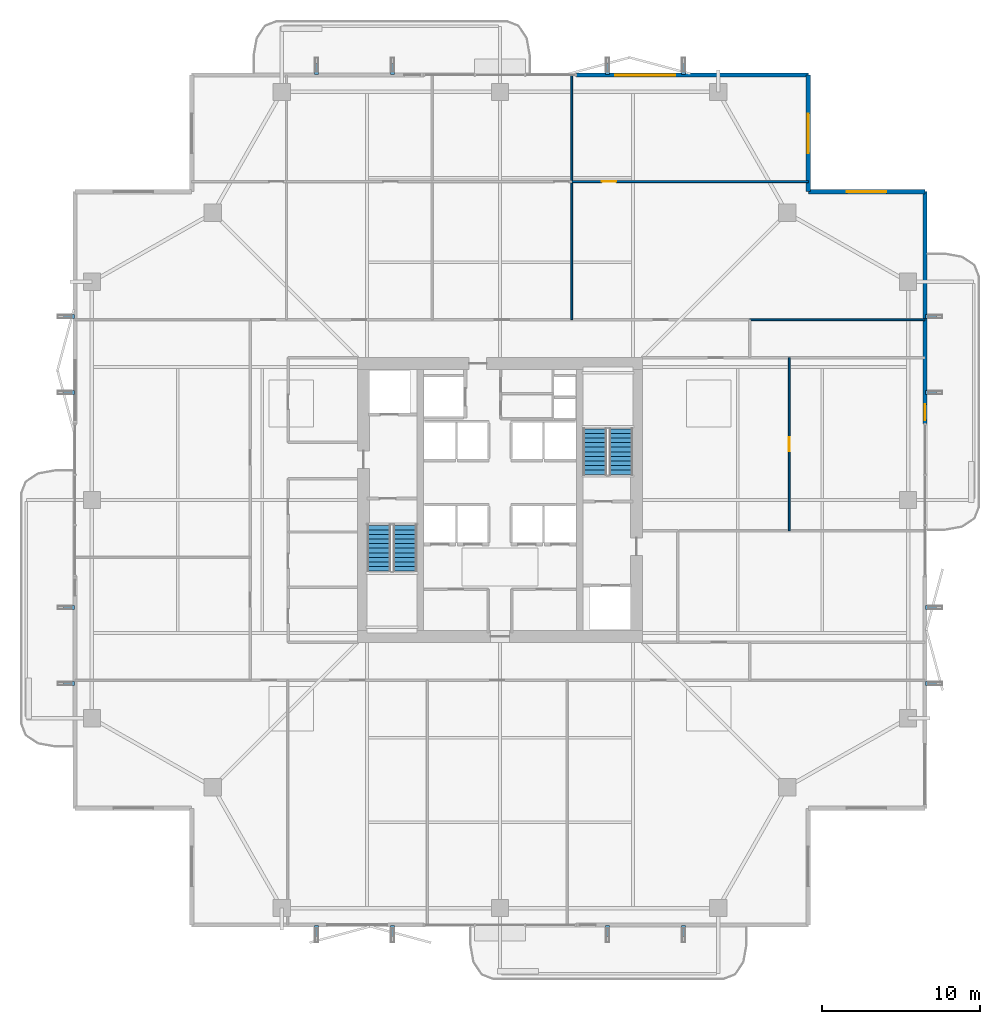
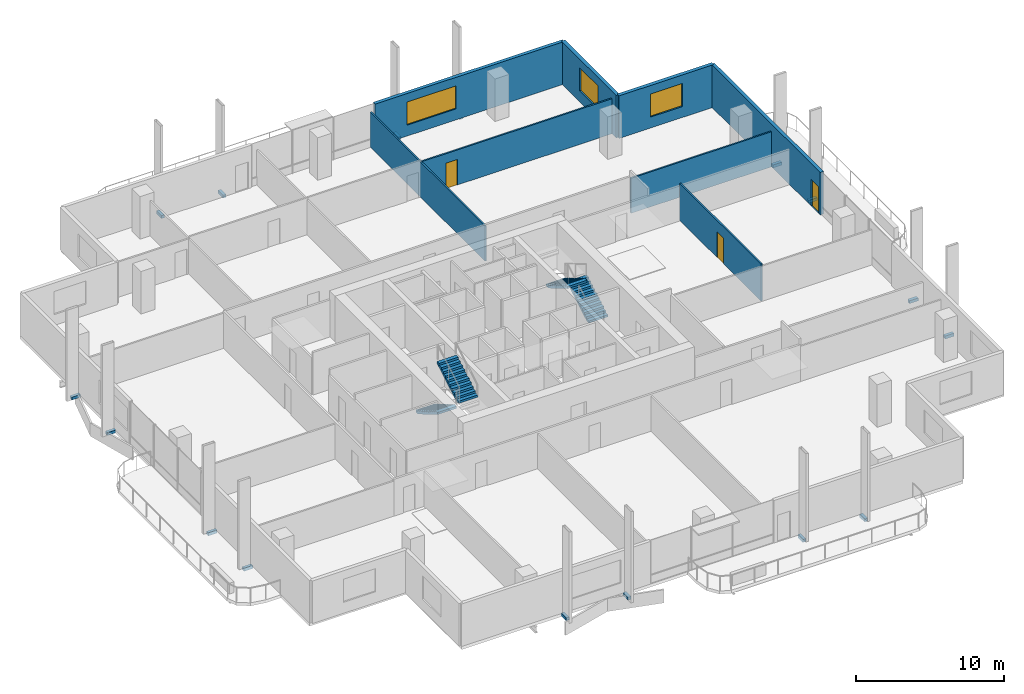
# One storey, part 20 of 24: 16 discrete accessories, 8 walls, 4 stair flights, 3 doors, 3 windows, 6 openings, 2 elements without a shape of their own.
"""IFC4 building model written with IfcOpenShell, lengths in metres."""

from ifc_helpers import new_model, si_unit, direction, frame, frame_2d, origin, origin_2d, place, context, subcontext, project, spatial, polyline, rectangle, outline, extrude, material, layer, layer_set, type_object, element, fill, aggregate, save


model = new_model("IFC4")

# Units and contexts
model_context = context("Model", 3, precision=1e-05, world=origin(), true_north=direction((0.0, 1.0)))
body_context = subcontext(model_context, "Body", "Model", "MODEL_VIEW")
ifc_project = project(units=[si_unit("LENGTHUNIT", "METRE"), si_unit("AREAUNIT", "SQUARE_METRE"), si_unit("VOLUMEUNIT", "CUBIC_METRE"), si_unit("PLANEANGLEUNIT", "RADIAN"), si_unit("MASSUNIT", "GRAM", prefix="KILO")], contexts=[model_context])

# Site, building, storey
site_placement = place(None, origin())
site = spatial("IfcSite", under=ifc_project, at=site_placement, CompositionType="ELEMENT")
building_placement = place(site_placement, origin())
building = spatial("IfcBuilding", under=site, at=building_placement, Name="Belovzor Exchange Tower", CompositionType="ELEMENT")
storey_placement = place(building_placement, frame((0.0, 0.0, 233.699951171875)))
storey = spatial("IfcBuildingStorey", under=building, at=storey_placement, Name="L58", CompositionType="ELEMENT", Elevation=233.699951171875)

# Wall
ifc_material_1 = material(Name="Acoustic Plasterboard on Galvanised Studs", Category="gypsum")
ifc_layer_1 = layer(ifc_material_1, 0.1201171875)
ifc_layer_set_1 = layer_set([ifc_layer_1], Name="Acoustic Plasterboard on Galvanised Studs")
wall_type_1 = type_object("IfcWallType", Name="Acoustic Double-Stud Partition Wall 120", PredefinedType="PARTITIONING", material=ifc_layer_set_1)
wall_1_placement = place(storey_placement, frame((33.339111328125, 40.199951171875, 0.0), z_axis=(0.0, 0.0, 1.0), x_axis=(0.0, 1.0, 0.0)))
element("IfcWall", 1, at=wall_1_placement, inside=storey, type_object=wall_type_1, Name="W-P120 Partition Wall W-L58-NDIV-3", PredefinedType="PARTITIONING", context=body_context, shape_type="SweptSolid", body=[
    extrude(rectangle(XDim=15.469970703125, YDim=0.1201171875, at=frame_2d((7.73486328125, 0.0))), origin(), (0.0, 0.0, 1.0), 2.885009765625),
])

# Wall, opening, door
wall_2_placement = place(storey_placement, frame((33.339111328125, 48.93505859375, 0.0), z_axis=(0.0, 0.0, 1.0), x_axis=(1.0, 0.0, 0.0)))
wall_2 = element("IfcWall", 2, at=wall_2_placement, inside=storey, type_object=wall_type_1, Name="W-P120 Partition Wall W-L58-NHDIV-3", PredefinedType="PARTITIONING", context=body_context, shape_type="SweptSolid", body=[
    extrude(rectangle(XDim=14.9609375, YDim=0.1201171875, at=frame_2d((7.48046875, 0.0))), origin(), (0.0, 0.0, 1.0), 2.885009765625),
])
opening_1_placement = place(wall_2_placement, frame((1.907958984375, 0.0, 0.0)))
opening_1 = element("IfcOpeningElement", 3, at=opening_1_placement, cuts=wall_2, Name="Opening D-INT-090", PredefinedType="OPENING", context=body_context, shape_type="SweptSolid", body=[
    extrude(rectangle(XDim=0.89990234375, YDim=2.10009765625, at=frame_2d((0.449951171875, 1.050048828125))), frame((0.0, 0.070068359375, 0.0), z_axis=(0.0, -1.0, 0.0), x_axis=(1.0, 0.0, 0.0)), (0.0, 0.0, 1.0), 0.14013671875),
])
ifc_material_2 = material(Name="Veneered Hardwood Acoustic Leaf", Category="wood")
door_type_1 = type_object("IfcDoorType", Name="Trading Suite Acoustic Single Door 900x2100", OperationType="NOTDEFINED", PredefinedType="DOOR", material=ifc_material_2)
door_1_placement = place(opening_1_placement, origin())
door_1 = element("IfcDoor", 4, at=door_1_placement, inside=storey, type_object=door_type_1, Name="D-INT-090 Trading Suite Acoustic Single Door 900x2100", OperationType="SINGLE_SWING_RIGHT", OverallHeight=2.10009765625, OverallWidth=0.89990234375, PredefinedType="DOOR", context=body_context, shape_type="SweptSolid", body=[
    extrude(rectangle(XDim=0.89990234375, YDim=2.10009765625, at=frame_2d((0.449951171875, 1.050048828125))), frame((0.0, 0.02490234375, 0.0), z_axis=(0.0, -1.0, 0.0), x_axis=(1.0, 0.0, 0.0)), (0.0, 0.0, 1.0), 0.050048828125),
])
fill(opening_1, door_1)

wall_3_placement = place(storey_placement, frame((47.092041015625, 26.85009765625, 0.0), z_axis=(0.0, 0.0, 1.0), x_axis=(0.0, 1.0, 0.0)))
wall_3 = element("IfcWall", 5, at=wall_3_placement, inside=storey, type_object=wall_type_1, Name="W-P120 Partition Wall W-L58-EHDIV", PredefinedType="PARTITIONING", context=body_context, shape_type="SweptSolid", body=[
    extrude(rectangle(XDim=10.949951171875, YDim=0.1201171875, at=frame_2d((5.47509765625, 0.0))), origin(), (0.0, 0.0, 1.0), 3.03515625),
])
opening_2_placement = place(wall_3_placement, frame((5.02490234375, 0.0, 0.0)))
opening_2 = element("IfcOpeningElement", 6, at=opening_2_placement, cuts=wall_3, Name="Opening D-INT-090", PredefinedType="OPENING", context=body_context, shape_type="SweptSolid", body=[
    extrude(rectangle(XDim=0.89990234375, YDim=2.10009765625, at=frame_2d((0.449951171875, 1.050048828125))), frame((0.0, 0.070068359375, 0.0), z_axis=(0.0, -1.0, 0.0), x_axis=(1.0, 0.0, 0.0)), (0.0, 0.0, 1.0), 0.14013671875),
])
door_2_placement = place(opening_2_placement, origin())
door_2 = element("IfcDoor", 7, at=door_2_placement, inside=storey, type_object=door_type_1, Name="D-INT-090 Trading Suite Acoustic Single Door 900x2100", OperationType="SINGLE_SWING_RIGHT", OverallHeight=2.10009765625, OverallWidth=0.89990234375, PredefinedType="DOOR", context=body_context, shape_type="SweptSolid", body=[
    extrude(rectangle(XDim=0.89990234375, YDim=2.10009765625, at=frame_2d((0.449951171875, 1.050048828125))), frame((0.0, 0.02490234375, 0.0), z_axis=(0.0, -1.0, 0.0), x_axis=(1.0, 0.0, 0.0)), (0.0, 0.0, 1.0), 0.050048828125),
])
fill(opening_2, door_2)

# Wall
wall_4_placement = place(storey_placement, frame((44.60009765625, 40.199951171875, 0.0), z_axis=(0.0, 0.0, 1.0), x_axis=(1.0, 0.0, 0.0)))
element("IfcWall", 8, at=wall_4_placement, inside=storey, type_object=wall_type_1, Name="W-P120 Partition Wall W-L58-END-NE", PredefinedType="PARTITIONING", context=body_context, shape_type="SweptSolid", body=[
    extrude(rectangle(XDim=11.06982421875, YDim=0.1201171875, at=frame_2d((5.534912109375, 0.0))), origin(), (0.0, 0.0, 1.0), 2.885009765625),
])

# Wall, opening, window
ifc_material_3 = material(Name="Precast concrete C40/50", Category="concrete")
ifc_layer_2 = layer(ifc_material_3, 0.280029296875)
ifc_layer_set_2 = layer_set([ifc_layer_2], Name="Precast concrete C40/50")
wall_type_2 = type_object("IfcWallType", Name="Precast Concrete Notched Corner Frame Wall 280", PredefinedType="SOLIDWALL", material=ifc_layer_set_2)
wall_5_placement = place(storey_placement, frame((48.300048828125, 55.669921875, 0.0), z_axis=(0.0, 0.0, 1.0), x_axis=(0.0, -1.0, 0.0)))
wall_5 = element("IfcWall", 9, at=wall_5_placement, inside=storey, type_object=wall_type_2, Name="W-CRN280 Precast Concrete Notched Corner Frame Wall 280 L58", PredefinedType="SOLIDWALL", context=body_context, shape_type="SweptSolid", body=[
    extrude(rectangle(XDim=7.369873046875, YDim=0.280029296875, at=frame_2d((3.68505859375, 0.0))), origin(), (0.0, 0.0, 1.0), 3.5),
])
opening_3_placement = place(wall_5_placement, frame((2.43505859375, 0.0, 0.89990234375)))
opening_3 = element("IfcOpeningElement", 10, at=opening_3_placement, cuts=wall_5, Name="Opening WN-CRN250", PredefinedType="OPENING", context=body_context, shape_type="SweptSolid", body=[
    extrude(rectangle(XDim=2.5, YDim=1.89990234375, at=frame_2d((1.25, 0.949951171875))), frame((0.0, 0.14990234375, 0.0), z_axis=(0.0, -1.0, 0.0), x_axis=(1.0, 0.0, 0.0)), (0.0, 0.0, 1.0), 0.300048828125),
])
ifc_material_4 = material(Name="Thermally Broken Aluminium and Triple Glazing", Category="aluminium")
window_type_1 = type_object("IfcWindowType", Name="Streamline Moderne Corner Wrap Ribbon Window 2500x1900", PartitioningType="SINGLE_PANEL", PredefinedType="WINDOW", material=ifc_material_4)
window_1_placement = place(opening_3_placement, origin())
window_1 = element("IfcWindow", 11, at=window_1_placement, inside=storey, type_object=window_type_1, Name="WN-CRN250 Streamline Moderne Corner Wrap Ribbon Window 2500x1900", OverallHeight=1.89990234375, OverallWidth=2.5, PartitioningType="SINGLE_PANEL", PredefinedType="WINDOW", context=body_context, shape_type="SweptSolid", body=[
    extrude(rectangle(XDim=2.5, YDim=1.89990234375, at=frame_2d((1.25, 0.949951171875))), frame((0.0, 0.030029296875, 0.0), z_axis=(0.0, -1.0, 0.0), x_axis=(1.0, 0.0, 0.0)), (0.0, 0.0, 1.0), 0.06005859375),
])
fill(opening_3, window_1)

wall_6_placement = place(storey_placement, frame((48.300048828125, 48.300048828125, 0.0), z_axis=(0.0, 0.0, 1.0), x_axis=(1.0, 0.0, 0.0)))
wall_6 = element("IfcWall", 12, at=wall_6_placement, inside=storey, type_object=wall_type_2, Name="W-CRN280 Precast Concrete Notched Corner Frame Wall 280 L58", PredefinedType="SOLIDWALL", context=body_context, shape_type="SweptSolid", body=[
    extrude(rectangle(XDim=7.369873046875, YDim=0.280029296875, at=frame_2d((3.68505859375, 0.0))), origin(), (0.0, 0.0, 1.0), 3.5),
])
opening_4_placement = place(wall_6_placement, frame((2.43505859375, 0.0, 0.89990234375)))
opening_4 = element("IfcOpeningElement", 13, at=opening_4_placement, cuts=wall_6, Name="Opening WN-CRN250", PredefinedType="OPENING", context=body_context, shape_type="SweptSolid", body=[
    extrude(rectangle(XDim=2.5, YDim=1.89990234375, at=frame_2d((1.25, 0.949951171875))), frame((0.0, 0.14990234375, 0.0), z_axis=(0.0, -1.0, 0.0), x_axis=(1.0, 0.0, 0.0)), (0.0, 0.0, 1.0), 0.300048828125),
])
window_2_placement = place(opening_4_placement, origin())
window_2 = element("IfcWindow", 14, at=window_2_placement, inside=storey, type_object=window_type_1, Name="WN-CRN250 Streamline Moderne Corner Wrap Ribbon Window 2500x1900", OverallHeight=1.89990234375, OverallWidth=2.5, PartitioningType="SINGLE_PANEL", PredefinedType="WINDOW", context=body_context, shape_type="SweptSolid", body=[
    extrude(rectangle(XDim=2.5, YDim=1.89990234375, at=frame_2d((1.25, 0.949951171875))), frame((0.0, 0.030029296875, 0.0), z_axis=(0.0, -1.0, 0.0), x_axis=(1.0, 0.0, 0.0)), (0.0, 0.0, 1.0), 0.06005859375),
])
fill(opening_4, window_2)

ifc_material_5 = material(Name="Precast concrete C40/50", Category="concrete")
ifc_layer_3 = layer(ifc_material_5, 0.260009765625)
ifc_layer_set_3 = layer_set([ifc_layer_3], Name="Precast concrete C40/50")
wall_type_3 = type_object("IfcWallType", Name="Precast Concrete Perimeter Loggia Frame Wall 260", PredefinedType="SOLIDWALL", material=ifc_layer_set_3)
wall_7_placement = place(storey_placement, frame((33.60009765625, 55.669921875, 0.0), z_axis=(0.0, 0.0, 1.0), x_axis=(1.0, 0.0, 0.0)))
wall_7 = element("IfcWall", 15, at=wall_7_placement, inside=storey, type_object=wall_type_3, Name="W-EXT260 Precast Concrete Perimeter Loggia Frame Wall 260 L58", PredefinedType="SOLIDWALL", context=body_context, shape_type="SweptSolid", body=[
    extrude(rectangle(XDim=14.699951171875, YDim=0.260009765625, at=frame_2d((7.35009765625, 0.0))), origin(), (0.0, 0.0, 1.0), 3.5),
])
opening_5_placement = place(wall_7_placement, frame((2.489990234375, 0.0, 0.89990234375)))
opening_5 = element("IfcOpeningElement", 16, at=opening_5_placement, cuts=wall_7, Name="Opening WN-RIB380", PredefinedType="OPENING", context=body_context, shape_type="SweptSolid", body=[
    extrude(rectangle(XDim=3.800048828125, YDim=1.89990234375, at=frame_2d((1.89990234375, 0.949951171875))), frame((0.0, 0.139892578125, 0.0), z_axis=(0.0, -1.0, 0.0), x_axis=(1.0, 0.0, 0.0)), (0.0, 0.0, 1.0), 0.280029296875),
])
ifc_material_6 = material(Name="Thermally Broken Aluminium and Triple Glazing", Category="aluminium")
window_type_2 = type_object("IfcWindowType", Name="Streamline Moderne Horizontal Ribbon Window 3800x1900", PartitioningType="SINGLE_PANEL", PredefinedType="WINDOW", material=ifc_material_6)
window_3_placement = place(opening_5_placement, origin())
window_3 = element("IfcWindow", 17, at=window_3_placement, inside=storey, type_object=window_type_2, Name="WN-RIB380 Streamline Moderne Horizontal Ribbon Window 3800x1900", OverallHeight=1.89990234375, OverallWidth=3.800048828125, PartitioningType="SINGLE_PANEL", PredefinedType="WINDOW", context=body_context, shape_type="SweptSolid", body=[
    extrude(rectangle(XDim=3.800048828125, YDim=1.89990234375, at=frame_2d((1.89990234375, 0.949951171875))), frame((0.0, 0.030029296875, 0.0), z_axis=(0.0, -1.0, 0.0), x_axis=(1.0, 0.0, 0.0)), (0.0, 0.0, 1.0), 0.06005859375),
])
fill(opening_5, window_3)

# Wall, opening, door
wall_8_placement = place(storey_placement, frame((55.669921875, 48.300048828125, 0.0), z_axis=(0.0, 0.0, 1.0), x_axis=(0.0, -1.0, 0.0)))
wall_8 = element("IfcWall", 18, at=wall_8_placement, inside=storey, type_object=wall_type_3, Name="W-EXT260 Precast Concrete Perimeter Loggia Frame Wall 260 L58", PredefinedType="SOLIDWALL", context=body_context, shape_type="SweptSolid", body=[
    extrude(rectangle(XDim=14.699951171875, YDim=0.260009765625, at=frame_2d((7.35009765625, 0.0))), origin(), (0.0, 0.0, 1.0), 3.5),
])
opening_6_placement = place(wall_8_placement, frame((13.449951171875, 0.0, 0.0)))
opening_6 = element("IfcOpeningElement", 19, at=opening_6_placement, cuts=wall_8, Name="Opening D-BAL100", PredefinedType="OPENING", context=body_context, shape_type="SweptSolid", body=[
    extrude(rectangle(XDim=1.0, YDim=2.199951171875, at=frame_2d((0.5, 1.10009765625))), frame((0.0, 0.139892578125, 0.0), z_axis=(0.0, -1.0, 0.0), x_axis=(1.0, 0.0, 0.0)), (0.0, 0.0, 1.0), 0.280029296875),
])
ifc_material_7 = material(Name="Thermally Broken Anodised Aluminium and Laminated Glass", Category="aluminium")
door_type_2 = type_object("IfcDoorType", Name="Planted Loggia Terrace Glazed Door 1000x2200", OperationType="SINGLE_SWING_LEFT", PredefinedType="DOOR", material=ifc_material_7)
door_3_placement = place(opening_6_placement, origin())
door_3 = element("IfcDoor", 20, at=door_3_placement, inside=storey, type_object=door_type_2, Name="D-BAL100 Balcony Terrace Door L58 E", OperationType="SINGLE_SWING_LEFT", OverallHeight=2.199951171875, OverallWidth=1.0, PredefinedType="DOOR", context=body_context, shape_type="SweptSolid", body=[
    extrude(rectangle(XDim=1.0, YDim=2.199951171875, at=frame_2d((0.5, 1.10009765625))), frame((0.0, 0.02490234375, 0.0), z_axis=(0.0, -1.0, 0.0), x_axis=(1.0, 0.0, 0.0)), (0.0, 0.0, 1.0), 0.050048828125),
])
fill(opening_6, door_3)

# Stair, stair flights
ifc_material_8 = material(Name="Concrete C40/50", Category="concrete")
stair_type = type_object("IfcStairType", Name="Reinforced Concrete Dogleg Escape Stair 1350", PredefinedType="HALF_TURN_STAIR", material=ifc_material_8)
stair_1_placement = place(storey_placement, origin())
stair_1 = element("IfcStair", 21, at=stair_1_placement, inside=storey, type_object=stair_type, Name="L58 ST-1", PredefinedType="HALF_TURN_STAIR")
ifc_material_9 = material(Name="Concrete C40/50", Category="concrete")
stair_flight_type = type_object("IfcStairFlightType", Name="Reinforced Concrete Stair Flight 1350", PredefinedType="STRAIGHT", material=ifc_material_9)
stair_flight_1_placement = place(storey_placement, frame((21.14990234375, 27.199951171875, 0.0), z_axis=(0.0, 0.0, 1.0), x_axis=(0.0, -1.0, 0.0)))
stair_flight_1 = element("IfcStairFlight", 22, at=stair_flight_1_placement, type_object=stair_flight_type, Name="ST-1 flight 1", NumberOfRisers=11, NumberOfTreads=10, PredefinedType="STRAIGHT", RiserHeight=0.170454545, TreadLength=0.29, context=body_context, shape_type="SweptSolid", body=[
    extrude(outline(polyline([(0.0, 0.0), (0.0, 0.17041015625), (0.2900390625, 0.17041015625), (0.2900390625, 0.3408203125), (0.580078125, 0.3408203125), (0.580078125, 0.511474609375), (0.8701171875, 0.511474609375), (0.8701171875, 0.681884765625), (1.159912109375, 0.681884765625), (1.159912109375, 0.852294921875), (1.449951171875, 0.852294921875), (1.449951171875, 1.022705078125), (1.739990234375, 1.022705078125), (1.739990234375, 1.193115234375), (2.030029296875, 1.193115234375), (2.030029296875, 1.363525390625), (2.320068359375, 1.363525390625), (2.320068359375, 1.5341796875), (2.610107421875, 1.5341796875), (2.610107421875, 1.70458984375), (2.89990234375, 1.70458984375), (2.89990234375, 1.875), (2.89990234375, 1.53076171875), (0.2958984375, 0.0), (0.0, 0.0)])), frame((0.0, 0.75, 0.0), z_axis=(0.0, -1.0, 0.0), x_axis=(1.0, 0.0, 0.0)), (0.0, 0.0, 1.0), 1.5),
])
stair_flight_2_placement = place(storey_placement, frame((22.800048828125, 24.300048828125, 1.875), z_axis=(0.0, 0.0, 1.0), x_axis=(0.0, 1.0, 0.0)))
stair_flight_2 = element("IfcStairFlight", 23, at=stair_flight_2_placement, type_object=stair_flight_type, Name="ST-1 flight 2", NumberOfRisers=11, NumberOfTreads=10, PredefinedType="STRAIGHT", RiserHeight=0.170454545, TreadLength=0.29, context=body_context, shape_type="SweptSolid", body=[
    extrude(outline(polyline([(0.0, 0.0), (0.0, 0.17041015625), (0.2900390625, 0.17041015625), (0.2900390625, 0.3408203125), (0.580078125, 0.3408203125), (0.580078125, 0.511474609375), (0.8701171875, 0.511474609375), (0.8701171875, 0.681884765625), (1.159912109375, 0.681884765625), (1.159912109375, 0.852294921875), (1.449951171875, 0.852294921875), (1.449951171875, 1.022705078125), (1.739990234375, 1.022705078125), (1.739990234375, 1.193115234375), (2.030029296875, 1.193115234375), (2.030029296875, 1.363525390625), (2.320068359375, 1.363525390625), (2.320068359375, 1.5341796875), (2.610107421875, 1.5341796875), (2.610107421875, 1.70458984375), (2.89990234375, 1.70458984375), (2.89990234375, 1.875), (2.89990234375, 1.53076171875), (0.2958984375, 0.0), (0.0, 0.0)])), frame((0.0, 0.75, 0.0), z_axis=(0.0, -1.0, 0.0), x_axis=(1.0, 0.0, 0.0)), (0.0, 0.0, 1.0), 1.5),
])
aggregate(stair_1, [stair_flight_1, stair_flight_2])

stair_2_placement = place(storey_placement, origin())
stair_2 = element("IfcStair", 24, at=stair_2_placement, inside=storey, type_object=stair_type, Name="L58 ST-2", PredefinedType="HALF_TURN_STAIR")
stair_flight_3_placement = place(storey_placement, frame((36.449951171875, 30.39990234375, 0.0), z_axis=(0.0, 0.0, 1.0), x_axis=(0.0, 1.0, 0.0)))
stair_flight_3 = element("IfcStairFlight", 25, at=stair_flight_3_placement, type_object=stair_flight_type, Name="ST-2 flight 1", NumberOfRisers=11, NumberOfTreads=10, PredefinedType="STRAIGHT", RiserHeight=0.170454545, TreadLength=0.29, context=body_context, shape_type="SweptSolid", body=[
    extrude(outline(polyline([(0.0, 0.0), (0.0, 0.17041015625), (0.2900390625, 0.17041015625), (0.2900390625, 0.3408203125), (0.580078125, 0.3408203125), (0.580078125, 0.511474609375), (0.8701171875, 0.511474609375), (0.8701171875, 0.681884765625), (1.159912109375, 0.681884765625), (1.159912109375, 0.852294921875), (1.449951171875, 0.852294921875), (1.449951171875, 1.022705078125), (1.739990234375, 1.022705078125), (1.739990234375, 1.193115234375), (2.030029296875, 1.193115234375), (2.030029296875, 1.363525390625), (2.320068359375, 1.363525390625), (2.320068359375, 1.5341796875), (2.610107421875, 1.5341796875), (2.610107421875, 1.70458984375), (2.89990234375, 1.70458984375), (2.89990234375, 1.875), (2.89990234375, 1.53076171875), (0.2958984375, 0.0), (0.0, 0.0)])), frame((0.0, 0.75, 0.0), z_axis=(0.0, -1.0, 0.0), x_axis=(1.0, 0.0, 0.0)), (0.0, 0.0, 1.0), 1.5),
])
stair_flight_4_placement = place(storey_placement, frame((34.800048828125, 33.300048828125, 1.875), z_axis=(0.0, 0.0, 1.0), x_axis=(0.0, -1.0, 0.0)))
stair_flight_4 = element("IfcStairFlight", 26, at=stair_flight_4_placement, type_object=stair_flight_type, Name="ST-2 flight 2", NumberOfRisers=11, NumberOfTreads=10, PredefinedType="STRAIGHT", RiserHeight=0.170454545, TreadLength=0.29, context=body_context, shape_type="SweptSolid", body=[
    extrude(outline(polyline([(0.0, 0.0), (0.0, 0.17041015625), (0.2900390625, 0.17041015625), (0.2900390625, 0.3408203125), (0.580078125, 0.3408203125), (0.580078125, 0.511474609375), (0.8701171875, 0.511474609375), (0.8701171875, 0.681884765625), (1.159912109375, 0.681884765625), (1.159912109375, 0.852294921875), (1.449951171875, 0.852294921875), (1.449951171875, 1.022705078125), (1.739990234375, 1.022705078125), (1.739990234375, 1.193115234375), (2.030029296875, 1.193115234375), (2.030029296875, 1.363525390625), (2.320068359375, 1.363525390625), (2.320068359375, 1.5341796875), (2.610107421875, 1.5341796875), (2.610107421875, 1.70458984375), (2.89990234375, 1.70458984375), (2.89990234375, 1.875), (2.89990234375, 1.53076171875), (0.2958984375, 0.0), (0.0, 0.0)])), frame((0.0, 0.75, 0.0), z_axis=(0.0, -1.0, 0.0), x_axis=(1.0, 0.0, 0.0)), (0.0, 0.0, 1.0), 1.5),
])
aggregate(stair_2, [stair_flight_3, stair_flight_4])

# Discrete accessories
ifc_material_10 = material(Name="Stainless Steel Grade 316", Category="steel")
ifc_layer_4 = layer(ifc_material_10, 0.179931640625)
ifc_layer_set_4 = layer_set([ifc_layer_4], Name="Stainless Steel Grade 316")
discrete_accessory_type = type_object("IfcDiscreteAccessoryType", Name="Stainless Steel Facade Outrigger Fixing Bracket", PredefinedType="BRACKET", material=ifc_layer_set_4)
for number, where, z_axis, x_axis, name in (
    (27, (17.199951171875, 1.5380859375, -0.2451171875), (0.0, 0.0, 1.0), (0.0, 1.0, 0.0), "BRK-FIN1 Sweeping Fin Outrigger Bracket L58 S1"),
    (28, (17.199951171875, 56.06201171875, -0.2451171875), (0.0, 0.0, 1.0), (0.0, 1.0, 0.0), "BRK-FIN1 Sweeping Fin Outrigger Bracket L58 N1"),
    (29, (1.5380859375, 17.199951171875, -0.2451171875), (0.0, 0.0, 1.0), (1.0, 0.0, 0.0), "BRK-FIN1 Sweeping Fin Outrigger Bracket L58 W1"),
    (30, (56.06201171875, 17.199951171875, -0.2451171875), (0.0, 0.0, 1.0), (1.0, 0.0, 0.0), "BRK-FIN1 Sweeping Fin Outrigger Bracket L58 E1"),
    (31, (22.0, 1.5380859375, -0.2451171875), (0.0, 0.0, 1.0), (0.0, 1.0, 0.0), "BRK-FIN1 Sweeping Fin Outrigger Bracket L58 S2"),
    (32, (22.0, 56.06201171875, -0.2451171875), (0.0, 0.0, 1.0), (0.0, 1.0, 0.0), "BRK-FIN1 Sweeping Fin Outrigger Bracket L58 N2"),
    (33, (1.5380859375, 22.0, -0.2451171875), (0.0, 0.0, 1.0), (1.0, 0.0, 0.0), "BRK-FIN1 Sweeping Fin Outrigger Bracket L58 W2"),
    (34, (56.06201171875, 22.0, -0.2451171875), (0.0, 0.0, 1.0), (1.0, 0.0, 0.0), "BRK-FIN1 Sweeping Fin Outrigger Bracket L58 E2"),
    (35, (35.60009765625, 1.5380859375, -0.2451171875), (0.0, 0.0, 1.0), (0.0, 1.0, 0.0), "BRK-FIN1 Sweeping Fin Outrigger Bracket L58 S3"),
    (36, (35.60009765625, 56.06201171875, -0.2451171875), (0.0, 0.0, 1.0), (0.0, 1.0, 0.0), "BRK-FIN1 Sweeping Fin Outrigger Bracket L58 N3"),
    (37, (1.5380859375, 35.60009765625, -0.2451171875), (0.0, 0.0, 1.0), (1.0, 0.0, 0.0), "BRK-FIN1 Sweeping Fin Outrigger Bracket L58 W3"),
    (38, (56.06201171875, 35.60009765625, -0.2451171875), (0.0, 0.0, 1.0), (1.0, 0.0, 0.0), "BRK-FIN1 Sweeping Fin Outrigger Bracket L58 E3"),
    (39, (40.39990234375, 1.5380859375, -0.2451171875), (0.0, 0.0, 1.0), (0.0, 1.0, 0.0), "BRK-FIN1 Sweeping Fin Outrigger Bracket L58 S4"),
    (40, (40.39990234375, 56.06201171875, -0.2451171875), (0.0, 0.0, 1.0), (0.0, 1.0, 0.0), "BRK-FIN1 Sweeping Fin Outrigger Bracket L58 N4"),
    (41, (1.5380859375, 40.39990234375, -0.2451171875), (0.0, 0.0, 1.0), (1.0, 0.0, 0.0), "BRK-FIN1 Sweeping Fin Outrigger Bracket L58 W4"),
    (42, (56.06201171875, 40.39990234375, -0.2451171875), (0.0, 0.0, 1.0), (1.0, 0.0, 0.0), "BRK-FIN1 Sweeping Fin Outrigger Bracket L58 E4"),
):
    element("IfcDiscreteAccessory", number, at=place(storey_placement, frame(where, z_axis=z_axis, x_axis=x_axis)), inside=storey, type_object=discrete_accessory_type, Name=name, PredefinedType="BRACKET", context=body_context, shape_type="SweptSolid", body=[
        extrude(rectangle(XDim=0.68505859375, YDim=0.239990234375, at=origin_2d()), origin(), (0.0, 0.0, 1.0), 0.239990234375),
    ])

save(model, "model.ifc")
